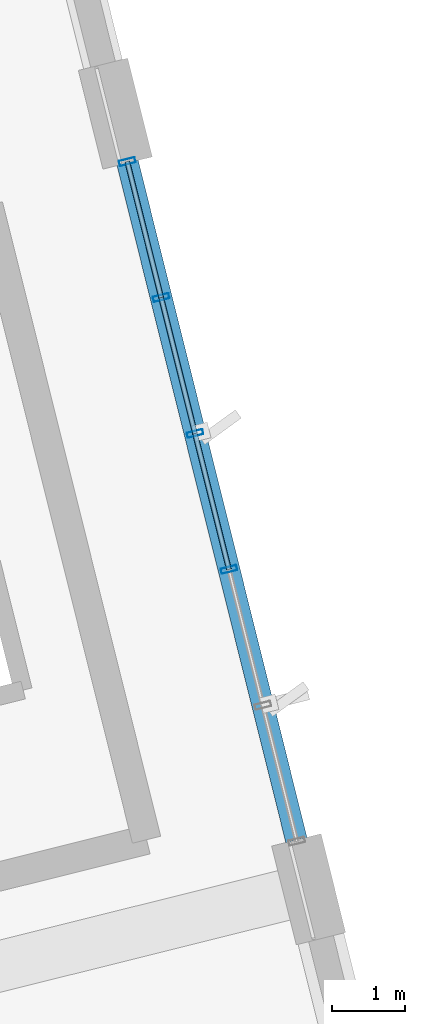
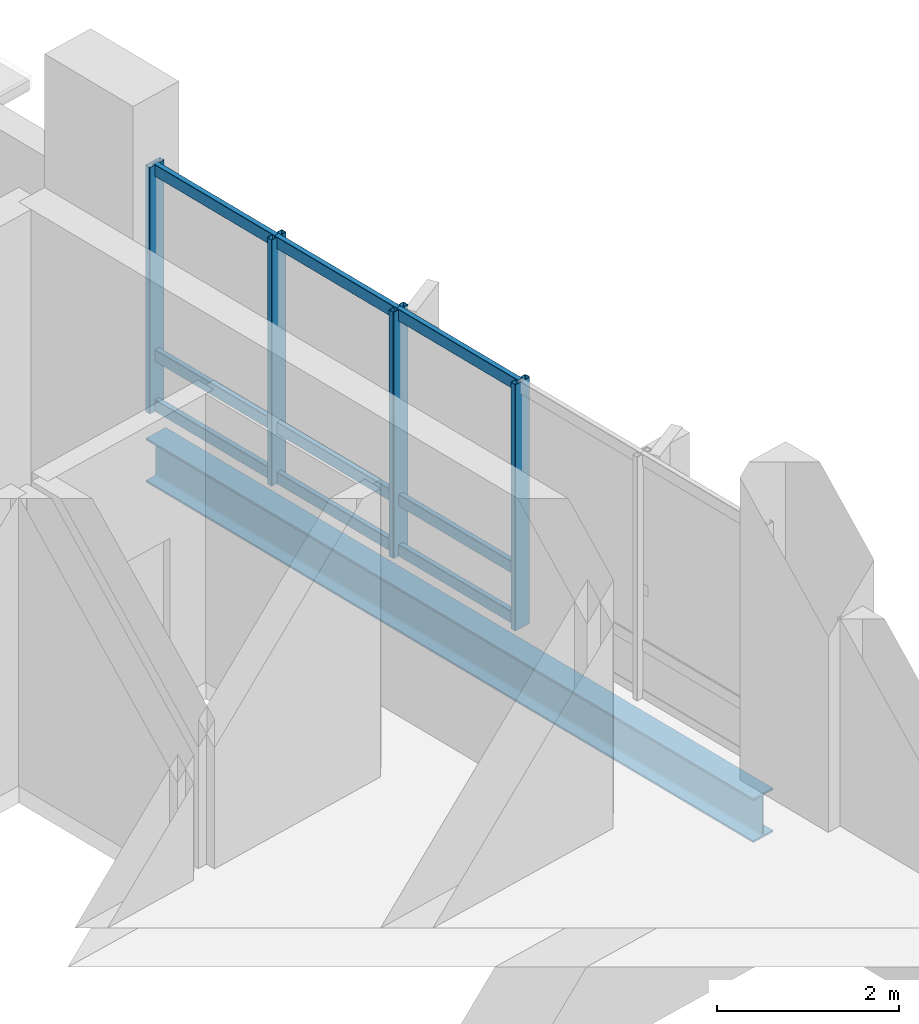
# One storey, part 38 of 75: 13 members, 1 beam, 1 element without a shape of its own.
"""IFC4 building model written with IfcOpenShell, lengths in metres."""

from ifc_helpers import new_model, si_unit, direction, frame, origin, origin_2d, place, context, subcontext, project, spatial, hollow_rectangle, i_section, extrude, material, layer, layer_set, material_profile, profile_set, type_object, element, aggregate, save


model = new_model("IFC4")

# Units and contexts
model_context = context("Model", 3, precision=1e-05, world=origin(), true_north=direction((0.0, 1.0)))
body_context = subcontext(model_context, "Body", "Model", "MODEL_VIEW")
ifc_project = project(units=[si_unit("LENGTHUNIT", "METRE"), si_unit("AREAUNIT", "SQUARE_METRE"), si_unit("VOLUMEUNIT", "CUBIC_METRE"), si_unit("PLANEANGLEUNIT", "RADIAN"), si_unit("MASSUNIT", "GRAM", prefix="KILO")], contexts=[model_context])

# Site, building, storey
site_placement = place(None, origin())
site = spatial("IfcSite", under=ifc_project, at=site_placement, CompositionType="ELEMENT")
building_placement = place(site_placement, origin())
building = spatial("IfcBuilding", under=site, at=building_placement, Name="Khorjan Park Terminus", CompositionType="ELEMENT")
storey_placement = place(building_placement, frame((0.0, 0.0, 16.2)))
storey = spatial("IfcBuildingStorey", under=building, at=storey_placement, Name="L03", CompositionType="ELEMENT", Elevation=16.2)

# Beam
ifc_material_1 = material(Name="Steel S355", Category="steel")
ifc_material_profile_1 = material_profile(ifc_material_1, i_section(OverallWidth=0.3, OverallDepth=0.59, WebThickness=0.013, FlangeThickness=0.025, FilletRadius=0.027, at=origin_2d()), Name="HEA 600")
ifc_profile_set_1 = profile_set([ifc_material_profile_1], Name="Steel S355")
beam_type = type_object("IfcBeamType", Name="BM-HEA600", PredefinedType="BEAM", material=ifc_profile_set_1)
beam_placement = place(storey_placement, frame((224.5491, 39.9877, -0.645), z_axis=(-0.241925915978, 0.970294723874, 0.0), x_axis=(-0.970294723874, -0.241925915978, 0.0)))
element("IfcBeam", 1, at=beam_placement, inside=storey, type_object=beam_type, Name="Primary skew-grid floor girder SB-A60 (L03)", PredefinedType="BEAM", context=body_context, shape_type="SweptSolid", body=[
    extrude(i_section(OverallWidth=0.3, OverallDepth=0.59, WebThickness=0.013, FlangeThickness=0.025, FilletRadius=0.027, at=origin_2d()), origin(), (0.0, 0.0, 1.0), 9.61),
])

# Curtain wall, members
ifc_material_2 = material(Name="Anodized Bronze Aluminium", Category="aluminium")
ifc_layer = layer(ifc_material_2, 0.22)
ifc_layer_set = layer_set([ifc_layer], Name="Anodized Bronze Aluminium")
curtain_wall_type = type_object("IfcCurtainWallType", Name="CW-OPS-B", PredefinedType="NOTDEFINED", material=ifc_layer_set)
curtain_wall_placement = place(storey_placement, origin())
curtain_wall = element("IfcCurtainWall", 2, at=curtain_wall_placement, inside=storey, type_object=curtain_wall_type, Name="Unitized curtain wall CW-B (CW-V5-E-L03-B03)", PredefinedType="NOTDEFINED")
ifc_material_profile_2 = material_profile(ifc_material_2, hollow_rectangle(XDim=0.075, YDim=0.225, WallThickness=0.005, InnerFilletRadius=0.005, OuterFilletRadius=0.01, at=origin_2d()), Name="ALM 75x225x5")
ifc_profile_set_2 = profile_set([ifc_material_profile_2], Name="Anodized Bronze Aluminium")
member_type_1 = type_object("IfcMemberType", Name="ML-ALM-225", PredefinedType="MULLION", material=ifc_profile_set_2)
member_1_placement = place(storey_placement, frame((223.6199, 43.7146, -0.035), z_axis=(0.0, 0.0, 1.0), x_axis=(-0.241922975976, 0.970295456907, 0.0)))
member_1 = element("IfcMember", 3, at=member_1_placement, type_object=member_type_1, Name="Curtain-wall mullion ML-22 (CW-V5-E-L03-B03-2)", PredefinedType="MULLION", context=body_context, shape_type="SweptSolid", body=[
    extrude(hollow_rectangle(XDim=0.075, YDim=0.225, WallThickness=0.005, InnerFilletRadius=0.005, OuterFilletRadius=0.01, at=origin_2d()), origin(), (0.0, 0.0, 1.0), 3.305),
])
member_2_placement = place(storey_placement, frame((223.1534, 45.5855, -0.035), z_axis=(0.0, 0.0, 1.0), x_axis=(-0.241922975976, 0.970295456907, 0.0)))
member_2 = element("IfcMember", 4, at=member_2_placement, type_object=member_type_1, Name="Curtain-wall mullion ML-22 (CW-V5-E-L03-B03-3)", PredefinedType="MULLION", context=body_context, shape_type="SweptSolid", body=[
    extrude(hollow_rectangle(XDim=0.075, YDim=0.225, WallThickness=0.005, InnerFilletRadius=0.005, OuterFilletRadius=0.01, at=origin_2d()), origin(), (0.0, 0.0, 1.0), 3.305),
])
member_3_placement = place(storey_placement, frame((222.687, 47.4563, -0.035), z_axis=(0.0, 0.0, 1.0), x_axis=(-0.241922975976, 0.970295456907, 0.0)))
member_3 = element("IfcMember", 5, at=member_3_placement, type_object=member_type_1, Name="Curtain-wall mullion ML-22 (CW-V5-E-L03-B03-4)", PredefinedType="MULLION", context=body_context, shape_type="SweptSolid", body=[
    extrude(hollow_rectangle(XDim=0.075, YDim=0.225, WallThickness=0.005, InnerFilletRadius=0.005, OuterFilletRadius=0.01, at=origin_2d()), origin(), (0.0, 0.0, 1.0), 3.305),
])
member_4_placement = place(storey_placement, frame((222.2205, 49.3272, -0.035), z_axis=(0.0, 0.0, 1.0), x_axis=(-0.241922975976, 0.970295456907, 0.0)))
member_4 = element("IfcMember", 6, at=member_4_placement, type_object=member_type_1, Name="Curtain-wall mullion ML-22 (CW-V5-E-L03-B03-5)", PredefinedType="MULLION", context=body_context, shape_type="SweptSolid", body=[
    extrude(hollow_rectangle(XDim=0.075, YDim=0.225, WallThickness=0.005, InnerFilletRadius=0.005, OuterFilletRadius=0.01, at=origin_2d()), origin(), (0.0, 0.0, 1.0), 3.305),
])
ifc_material_profile_3 = material_profile(ifc_material_2, hollow_rectangle(XDim=0.07, YDim=0.16, WallThickness=0.004, InnerFilletRadius=0.004, OuterFilletRadius=0.008, at=origin_2d()), Name="ALT 70x160x4")
ifc_profile_set_3 = profile_set([ifc_material_profile_3], Name="Anodized Bronze Aluminium")
member_type_2 = type_object("IfcMemberType", Name="TR-ALT-160", PredefinedType="USERDEFINED", material=ifc_profile_set_3)
member_5_placement = place(storey_placement, frame((223.6199, 43.7146, 0.04), z_axis=(-0.241937637138, 0.970291801334, 0.0), x_axis=(-0.970291801334, -0.241937637138, 0.0)))
member_5 = element("IfcMember", 7, at=member_5_placement, type_object=member_type_2, Name="Curtain-wall transom TR-16 (CW-V5-E-L03-B03-2-1)", ObjectType="TRANSOM", PredefinedType="USERDEFINED", context=body_context, shape_type="SweptSolid", body=[
    extrude(hollow_rectangle(XDim=0.07, YDim=0.16, WallThickness=0.004, InnerFilletRadius=0.004, OuterFilletRadius=0.008, at=origin_2d()), origin(), (0.0, 0.0, 1.0), 1.9282),
])
member_6_placement = place(storey_placement, frame((223.6199, 43.7146, 0.712), z_axis=(-0.241937637138, 0.970291801334, 0.0), x_axis=(-0.970291801334, -0.241937637138, 0.0)))
member_6 = element("IfcMember", 8, at=member_6_placement, type_object=member_type_2, Name="Curtain-wall transom TR-16 (CW-V5-E-L03-B03-2-2)", ObjectType="TRANSOM", PredefinedType="USERDEFINED", context=body_context, shape_type="SweptSolid", body=[
    extrude(hollow_rectangle(XDim=0.07, YDim=0.16, WallThickness=0.004, InnerFilletRadius=0.004, OuterFilletRadius=0.008, at=origin_2d()), origin(), (0.0, 0.0, 1.0), 1.9282),
])
member_7_placement = place(storey_placement, frame((223.6199, 43.7146, 3.195), z_axis=(-0.241937637138, 0.970291801334, 0.0), x_axis=(-0.970291801334, -0.241937637138, 0.0)))
member_7 = element("IfcMember", 9, at=member_7_placement, type_object=member_type_2, Name="Curtain-wall transom TR-16 (CW-V5-E-L03-B03-2-3)", ObjectType="TRANSOM", PredefinedType="USERDEFINED", context=body_context, shape_type="SweptSolid", body=[
    extrude(hollow_rectangle(XDim=0.07, YDim=0.16, WallThickness=0.004, InnerFilletRadius=0.004, OuterFilletRadius=0.008, at=origin_2d()), origin(), (0.0, 0.0, 1.0), 1.9282),
])
member_8_placement = place(storey_placement, frame((223.1534, 45.5855, 0.04), z_axis=(-0.241900982739, 0.970300940198, 0.0), x_axis=(-0.970300940198, -0.241900982739, 0.0)))
member_8 = element("IfcMember", 10, at=member_8_placement, type_object=member_type_2, Name="Curtain-wall transom TR-16 (CW-V5-E-L03-B03-3-1)", ObjectType="TRANSOM", PredefinedType="USERDEFINED", context=body_context, shape_type="SweptSolid", body=[
    extrude(hollow_rectangle(XDim=0.07, YDim=0.16, WallThickness=0.004, InnerFilletRadius=0.004, OuterFilletRadius=0.008, at=origin_2d()), origin(), (0.0, 0.0, 1.0), 1.9281),
])
member_9_placement = place(storey_placement, frame((223.1534, 45.5855, 0.712), z_axis=(-0.241900982739, 0.970300940198, 0.0), x_axis=(-0.970300940198, -0.241900982739, 0.0)))
member_9 = element("IfcMember", 11, at=member_9_placement, type_object=member_type_2, Name="Curtain-wall transom TR-16 (CW-V5-E-L03-B03-3-2)", ObjectType="TRANSOM", PredefinedType="USERDEFINED", context=body_context, shape_type="SweptSolid", body=[
    extrude(hollow_rectangle(XDim=0.07, YDim=0.16, WallThickness=0.004, InnerFilletRadius=0.004, OuterFilletRadius=0.008, at=origin_2d()), origin(), (0.0, 0.0, 1.0), 1.9281),
])
member_10_placement = place(storey_placement, frame((223.1534, 45.5855, 3.195), z_axis=(-0.241900982739, 0.970300940198, 0.0), x_axis=(-0.970300940198, -0.241900982739, 0.0)))
member_10 = element("IfcMember", 12, at=member_10_placement, type_object=member_type_2, Name="Curtain-wall transom TR-16 (CW-V5-E-L03-B03-3-3)", ObjectType="TRANSOM", PredefinedType="USERDEFINED", context=body_context, shape_type="SweptSolid", body=[
    extrude(hollow_rectangle(XDim=0.07, YDim=0.16, WallThickness=0.004, InnerFilletRadius=0.004, OuterFilletRadius=0.008, at=origin_2d()), origin(), (0.0, 0.0, 1.0), 1.9281),
])
member_11_placement = place(storey_placement, frame((222.687, 47.4563, 0.04), z_axis=(-0.241937637138, 0.970291801334, 0.0), x_axis=(-0.970291801334, -0.241937637138, 0.0)))
member_11 = element("IfcMember", 13, at=member_11_placement, type_object=member_type_2, Name="Curtain-wall transom TR-16 (CW-V5-E-L03-B03-4-1)", ObjectType="TRANSOM", PredefinedType="USERDEFINED", context=body_context, shape_type="SweptSolid", body=[
    extrude(hollow_rectangle(XDim=0.07, YDim=0.16, WallThickness=0.004, InnerFilletRadius=0.004, OuterFilletRadius=0.008, at=origin_2d()), origin(), (0.0, 0.0, 1.0), 1.9282),
])
member_12_placement = place(storey_placement, frame((222.687, 47.4563, 0.712), z_axis=(-0.241937637138, 0.970291801334, 0.0), x_axis=(-0.970291801334, -0.241937637138, 0.0)))
member_12 = element("IfcMember", 14, at=member_12_placement, type_object=member_type_2, Name="Curtain-wall transom TR-16 (CW-V5-E-L03-B03-4-2)", ObjectType="TRANSOM", PredefinedType="USERDEFINED", context=body_context, shape_type="SweptSolid", body=[
    extrude(hollow_rectangle(XDim=0.07, YDim=0.16, WallThickness=0.004, InnerFilletRadius=0.004, OuterFilletRadius=0.008, at=origin_2d()), origin(), (0.0, 0.0, 1.0), 1.9282),
])
member_13_placement = place(storey_placement, frame((222.687, 47.4563, 3.195), z_axis=(-0.241937637138, 0.970291801334, 0.0), x_axis=(-0.970291801334, -0.241937637138, 0.0)))
member_13 = element("IfcMember", 15, at=member_13_placement, type_object=member_type_2, Name="Curtain-wall transom TR-16 (CW-V5-E-L03-B03-4-3)", ObjectType="TRANSOM", PredefinedType="USERDEFINED", context=body_context, shape_type="SweptSolid", body=[
    extrude(hollow_rectangle(XDim=0.07, YDim=0.16, WallThickness=0.004, InnerFilletRadius=0.004, OuterFilletRadius=0.008, at=origin_2d()), origin(), (0.0, 0.0, 1.0), 1.9282),
])
aggregate(curtain_wall, [member_1, member_2, member_3, member_4, member_5, member_6, member_7, member_8, member_9, member_10, member_11, member_12, member_13])

save(model, "model.ifc")
